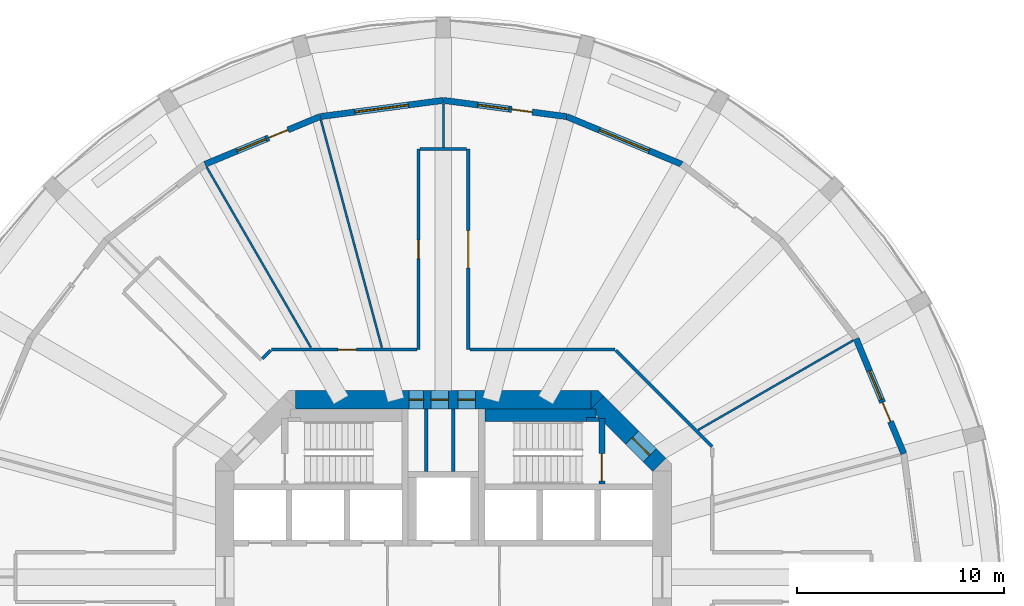
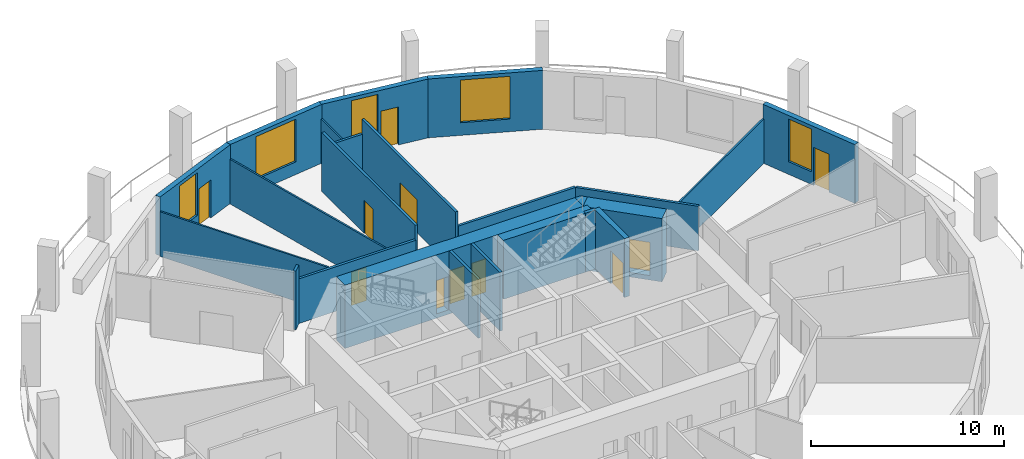
# One storey, part 6 of 9: 24 walls, 11 doors, 5 windows, 16 openings.
"""IFC4 building model written with IfcOpenShell, lengths in metres."""

from ifc_helpers import new_model, si_unit, direction, frame, frame_2d, origin, place, context, subcontext, project, spatial, polyline, rectangle, outline, extrude, material, layer, layer_set, type_object, element, fill, save


model = new_model("IFC4")

# Units and contexts
model_context = context("Model", 3, precision=1e-05, world=origin(), true_north=direction((0.0, 1.0)))
body_context = subcontext(model_context, "Body", "Model", "MODEL_VIEW")
ifc_project = project(units=[si_unit("LENGTHUNIT", "METRE"), si_unit("AREAUNIT", "SQUARE_METRE"), si_unit("VOLUMEUNIT", "CUBIC_METRE"), si_unit("PLANEANGLEUNIT", "RADIAN"), si_unit("MASSUNIT", "GRAM", prefix="KILO")], contexts=[model_context])

# Site, building, storey
site_placement = place(None, origin())
site = spatial("IfcSite", under=ifc_project, at=site_placement, CompositionType="ELEMENT")
building_placement = place(site_placement, origin())
building = spatial("IfcBuilding", under=site, at=building_placement, Name="Torre Triforio", CompositionType="ELEMENT")
storey_placement = place(building_placement, frame((0.0, 0.0, 75.0)))
storey = spatial("IfcBuildingStorey", under=building, at=storey_placement, Name="L16", CompositionType="ELEMENT", Elevation=75.0)

# Wall, openings, doors
ifc_material_1 = material(Name="Concrete C60", Category="concrete")
ifc_layer_1 = layer(ifc_material_1, 0.89990234375)
ifc_layer_set_1 = layer_set([ifc_layer_1], Name="Concrete C60")
wall_type_1 = type_object("IfcWallType", Name="Core wall 900 mm C60 EI 120", PredefinedType="SHEAR", material=ifc_layer_set_1)
wall_1_placement = place(storey_placement, frame((-7.1298828125, 8.550048828125, -0.280029296875), z_axis=(0.0, 0.0, 1.0), x_axis=(1.0, 0.0, 0.0)))
wall_1 = element("IfcWall", 1, at=wall_1_placement, inside=storey, type_object=wall_type_1, Name="Core wall", PredefinedType="SHEAR", context=body_context, shape_type="SweptSolid", body=[
    extrude(rectangle(XDim=14.259765625, YDim=0.89990234375, at=frame_2d((7.1298828125, 0.0))), origin(), (0.0, 0.0, 1.0), 4.0),
])
opening_1_placement = place(wall_1_placement, frame((5.47998046875, 0.0, 0.280029296875)))
opening_1 = element("IfcOpeningElement", 2, at=opening_1_placement, cuts=wall_1, Name="Opening RISER-N", PredefinedType="OPENING", context=body_context, shape_type="SweptSolid", body=[
    extrude(rectangle(XDim=0.699951171875, YDim=2.10009765625, at=frame_2d((0.35009765625, 1.050048828125))), frame((0.0, 0.4599609375, 0.0), z_axis=(0.0, -1.0, 0.0), x_axis=(1.0, 0.0, 0.0)), (0.0, 0.0, 1.0), 0.919921875),
])
opening_2_placement = place(wall_1_placement, frame((6.530029296875, 0.0, 0.280029296875)))
opening_2 = element("IfcOpeningElement", 3, at=opening_2_placement, cuts=wall_1, Name="Opening NE-01A", PredefinedType="OPENING", context=body_context, shape_type="SweptSolid", body=[
    extrude(rectangle(XDim=0.85009765625, YDim=2.10009765625, at=frame_2d((0.425048828125, 1.050048828125))), frame((0.0, 0.4599609375, 0.0), z_axis=(0.0, -1.0, 0.0), x_axis=(1.0, 0.0, 0.0)), (0.0, 0.0, 1.0), 0.919921875),
])
opening_3_placement = place(wall_1_placement, frame((7.830078125, 0.0, 0.280029296875)))
opening_3 = element("IfcOpeningElement", 4, at=opening_3_placement, cuts=wall_1, Name="Opening NE-02", PredefinedType="OPENING", context=body_context, shape_type="SweptSolid", body=[
    extrude(rectangle(XDim=0.85009765625, YDim=2.10009765625, at=frame_2d((0.425048828125, 1.050048828125))), frame((0.0, 0.4599609375, 0.0), z_axis=(0.0, -1.0, 0.0), x_axis=(1.0, 0.0, 0.0)), (0.0, 0.0, 1.0), 0.919921875),
])
ifc_material_2 = material(Name="Hollow metal fire door leaf")
door_type_1 = type_object("IfcDoorType", Name="Plant room door 850 x 2100 EI 60", OperationType="NOTDEFINED", PredefinedType="DOOR", material=ifc_material_2)
door_1_placement = place(opening_3_placement, origin())
door_1 = element("IfcDoor", 5, at=door_1_placement, inside=storey, type_object=door_type_1, Name="Core door NE-02", OperationType="SINGLE_SWING_RIGHT", OverallHeight=2.10009765625, OverallWidth=0.85009765625, PredefinedType="DOOR", context=body_context, shape_type="SweptSolid", body=[
    extrude(rectangle(XDim=0.85009765625, YDim=2.10009765625, at=frame_2d((0.425048828125, 1.050048828125))), frame((0.0, 0.02490234375, 0.0), z_axis=(0.0, -1.0, 0.0), x_axis=(1.0, 0.0, 0.0)), (0.0, 0.0, 1.0), 0.050048828125),
])
fill(opening_3, door_1)
door_type_2 = type_object("IfcDoorType", Name="Riser door 700 x 2100 EI 60", OperationType="NOTDEFINED", PredefinedType="DOOR", material=ifc_material_2)
door_2_placement = place(opening_1_placement, origin())
door_2 = element("IfcDoor", 6, at=door_2_placement, inside=storey, type_object=door_type_2, Name="Core door RISER-N", OperationType="SINGLE_SWING_LEFT", OverallHeight=2.10009765625, OverallWidth=0.699951171875, PredefinedType="DOOR", context=body_context, shape_type="SweptSolid", body=[
    extrude(rectangle(XDim=0.699951171875, YDim=2.10009765625, at=frame_2d((0.35009765625, 1.050048828125))), frame((0.0, 0.02490234375, 0.0), z_axis=(0.0, -1.0, 0.0), x_axis=(1.0, 0.0, 0.0)), (0.0, 0.0, 1.0), 0.050048828125),
])
fill(opening_1, door_2)
door_type_3 = type_object("IfcDoorType", Name="Room door 850 x 2100 EI 60", OperationType="NOTDEFINED", PredefinedType="DOOR", material=ifc_material_2)
door_3_placement = place(opening_2_placement, origin())
door_3 = element("IfcDoor", 7, at=door_3_placement, inside=storey, type_object=door_type_3, Name="Core door NE-01", OperationType="SINGLE_SWING_LEFT", OverallHeight=2.10009765625, OverallWidth=0.85009765625, PredefinedType="DOOR", context=body_context, shape_type="SweptSolid", body=[
    extrude(rectangle(XDim=0.85009765625, YDim=2.10009765625, at=frame_2d((0.425048828125, 1.050048828125))), frame((0.0, 0.02490234375, 0.0), z_axis=(0.0, -1.0, 0.0), x_axis=(1.0, 0.0, 0.0)), (0.0, 0.0, 1.0), 0.050048828125),
])
fill(opening_2, door_3)

# Wall, opening, door
wall_2_placement = place(storey_placement, frame((7.418212890625, 8.418212890625, -0.280029296875), z_axis=(0.0, 0.0, 1.0), x_axis=(0.707106781187, -0.707106781187, 0.0)))
wall_2 = element("IfcWall", 8, at=wall_2_placement, inside=storey, type_object=wall_type_1, Name="Core wall", PredefinedType="SHEAR", context=body_context, shape_type="SweptSolid", body=[
    extrude(rectangle(XDim=4.24267578125, YDim=0.89990234375, at=frame_2d((2.121337890625, 0.0))), origin(), (0.0, 0.0, 1.0), 4.0),
])
opening_4_placement = place(wall_2_placement, frame((2.392578125, 0.0, 0.280029296875)))
opening_4 = element("IfcOpeningElement", 9, at=opening_4_placement, cuts=wall_2, Name="Opening ST2-EXIT", PredefinedType="OPENING", context=body_context, shape_type="SweptSolid", body=[
    extrude(rectangle(XDim=1.199951171875, YDim=2.10009765625, at=frame_2d((0.60009765625, 1.050048828125))), frame((0.0, 0.4599609375, 0.0), z_axis=(0.0, -1.0, 0.0), x_axis=(1.0, 0.0, 0.0)), (0.0, 0.0, 1.0), 0.919921875),
])
door_type_4 = type_object("IfcDoorType", Name="Stair lobby door 1200 x 2100 EI 60", OperationType="NOTDEFINED", PredefinedType="DOOR", material=ifc_material_2)
door_4_placement = place(opening_4_placement, origin())
door_4 = element("IfcDoor", 10, at=door_4_placement, inside=storey, type_object=door_type_4, Name="Core door ST2-EXIT", OperationType="SINGLE_SWING_RIGHT", OverallHeight=2.10009765625, OverallWidth=1.199951171875, PredefinedType="DOOR", context=body_context, shape_type="SweptSolid", body=[
    extrude(rectangle(XDim=1.199951171875, YDim=2.10009765625, at=frame_2d((0.60009765625, 1.050048828125))), frame((0.0, 0.02490234375, 0.0), z_axis=(0.0, -1.0, 0.0), x_axis=(1.0, 0.0, 0.0)), (0.0, 0.0, 1.0), 0.050048828125),
])
fill(opening_4, door_4)

# Walls
wall_3_placement = place(storey_placement, frame((0.0, 0.0, -0.280029296875)))
element("IfcWall", 11, at=wall_3_placement, inside=storey, type_object=wall_type_1, Name="Core wall", PredefinedType="SHEAR", context=body_context, shape_type="SweptSolid", body=[
    extrude(outline(polyline([(7.472900390625, 9.0), (7.736328125, 8.736328125), (7.1298828125, 8.1298828125), (7.1298828125, 9.0), (7.472900390625, 9.0)])), origin(), (0.0, 0.0, 1.0), 4.0),
])
ifc_material_3 = material(Name="Plasterboard on metal studs")
ifc_layer_2 = layer(ifc_material_3, 0.14990234375)
ifc_layer_set_2 = layer_set([ifc_layer_2], Name="Plasterboard on metal studs")
wall_type_2 = type_object("IfcWallType", Name="Corridor and tenancy wall 150 mm EI 60", PredefinedType="PARTITIONING", material=ifc_layer_set_2)
wall_4_placement = place(storey_placement, frame((-8.7314453125, 10.534423828125, 0.0), z_axis=(0.0, 0.0, 1.0), x_axis=(0.707106781187, 0.707106781187, 0.0)))
element("IfcWall", 12, at=wall_4_placement, inside=storey, type_object=wall_type_2, Name="Partition 11", PredefinedType="PARTITIONING", context=body_context, shape_type="SweptSolid", body=[
    extrude(rectangle(XDim=0.57080078125, YDim=0.14990234375, at=frame_2d((0.285400390625, 0.0))), origin(), (0.0, 0.0, 1.0), 3.719970703125),
])

# Wall, opening, door
wall_5_placement = place(storey_placement, frame((-8.291015625, 10.97509765625, 0.0), z_axis=(0.0, 0.0, 1.0), x_axis=(1.0, 0.0, 0.0)))
wall_5 = element("IfcWall", 13, at=wall_5_placement, inside=storey, type_object=wall_type_2, Name="Partition 12", PredefinedType="PARTITIONING", context=body_context, shape_type="SweptSolid", body=[
    extrude(rectangle(XDim=7.01611328125, YDim=0.14990234375, at=frame_2d((3.508056640625, 0.0))), origin(), (0.0, 0.0, 1.0), 2.820068359375),
])
opening_5_placement = place(wall_5_placement, frame((3.198486328125, 0.0, 0.0)))
opening_5 = element("IfcOpeningElement", 14, at=opening_5_placement, cuts=wall_5, Name="Opening N5-03", PredefinedType="OPENING", context=body_context, shape_type="SweptSolid", body=[
    extrude(rectangle(XDim=0.89990234375, YDim=2.10009765625, at=frame_2d((0.449951171875, 1.050048828125))), frame((0.0, 0.0849609375, 0.0), z_axis=(0.0, -1.0, 0.0), x_axis=(1.0, 0.0, 0.0)), (0.0, 0.0, 1.0), 0.169921875),
])
ifc_material_4 = material(Name="Timber", Category="wood")
door_type_5 = type_object("IfcDoorType", Name="Door 900 x 2100 single leaf EI 30", OperationType="NOTDEFINED", PredefinedType="DOOR", material=ifc_material_4)
door_5_placement = place(opening_5_placement, origin())
door_5 = element("IfcDoor", 15, at=door_5_placement, inside=storey, type_object=door_type_5, Name="Door N5-03", OperationType="SINGLE_SWING_LEFT", OverallHeight=2.10009765625, OverallWidth=0.89990234375, PredefinedType="DOOR", context=body_context, shape_type="SweptSolid", body=[
    extrude(rectangle(XDim=0.89990234375, YDim=2.10009765625, at=frame_2d((0.449951171875, 1.050048828125))), frame((0.0, 0.02490234375, 0.0), z_axis=(0.0, -1.0, 0.0), x_axis=(1.0, 0.0, 0.0)), (0.0, 0.0, 1.0), 0.050048828125),
])
fill(opening_5, door_5)

wall_6_placement = place(storey_placement, frame((-1.199951171875, 10.97509765625, 0.0), z_axis=(0.0, 0.0, 1.0), x_axis=(0.0, 1.0, 0.0)))
wall_6 = element("IfcWall", 16, at=wall_6_placement, inside=storey, type_object=wall_type_2, Name="Partition 13", PredefinedType="PARTITIONING", context=body_context, shape_type="SweptSolid", body=[
    extrude(rectangle(XDim=9.673583984375, YDim=0.14990234375, at=frame_2d((4.8369140625, 0.0))), origin(), (0.0, 0.0, 1.0), 3.719970703125),
])
opening_6_placement = place(wall_6_placement, frame((4.386962890625, 0.0, 0.0)))
opening_6 = element("IfcOpeningElement", 17, at=opening_6_placement, cuts=wall_6, Name="Opening N5-02", PredefinedType="OPENING", context=body_context, shape_type="SweptSolid", body=[
    extrude(rectangle(XDim=0.89990234375, YDim=2.10009765625, at=frame_2d((0.449951171875, 1.050048828125))), frame((0.0, 0.0849609375, 0.0), z_axis=(0.0, -1.0, 0.0), x_axis=(1.0, 0.0, 0.0)), (0.0, 0.0, 1.0), 0.169921875),
])
door_6_placement = place(opening_6_placement, origin())
door_6 = element("IfcDoor", 18, at=door_6_placement, inside=storey, type_object=door_type_5, Name="Door N5-02", OperationType="SINGLE_SWING_RIGHT", OverallHeight=2.10009765625, OverallWidth=0.89990234375, PredefinedType="DOOR", context=body_context, shape_type="SweptSolid", body=[
    extrude(rectangle(XDim=0.89990234375, YDim=2.10009765625, at=frame_2d((0.449951171875, 1.050048828125))), frame((0.0, 0.02490234375, 0.0), z_axis=(0.0, -1.0, 0.0), x_axis=(1.0, 0.0, 0.0)), (0.0, 0.0, 1.0), 0.050048828125),
])
fill(opening_6, door_6)

# Wall
wall_7_placement = place(storey_placement, frame((-1.125, 20.648681640625, 0.0), z_axis=(0.0, 0.0, 1.0), x_axis=(1.0, 0.0, 0.0)))
element("IfcWall", 19, at=wall_7_placement, inside=storey, type_object=wall_type_2, Name="Partition 14", PredefinedType="PARTITIONING", context=body_context, shape_type="SweptSolid", body=[
    extrude(rectangle(XDim=2.25, YDim=0.14990234375, at=frame_2d((1.125, 0.0))), origin(), (0.0, 0.0, 1.0), 2.820068359375),
])

# Wall, opening, door
wall_8_placement = place(storey_placement, frame((1.199951171875, 20.648681640625, 0.0), z_axis=(0.0, 0.0, 1.0), x_axis=(0.0, -1.0, 0.0)))
wall_8 = element("IfcWall", 20, at=wall_8_placement, inside=storey, type_object=wall_type_2, Name="Partition 15", PredefinedType="PARTITIONING", context=body_context, shape_type="SweptSolid", body=[
    extrude(rectangle(XDim=9.673583984375, YDim=0.14990234375, at=frame_2d((4.8369140625, 0.0))), origin(), (0.0, 0.0, 1.0), 3.719970703125),
])
opening_7_placement = place(wall_8_placement, frame((3.93701171875, 0.0, 0.0)))
opening_7 = element("IfcOpeningElement", 21, at=opening_7_placement, cuts=wall_8, Name="Opening N5-01", PredefinedType="OPENING", context=body_context, shape_type="SweptSolid", body=[
    extrude(rectangle(XDim=1.800048828125, YDim=2.10009765625, at=frame_2d((0.89990234375, 1.050048828125))), frame((0.0, 0.0849609375, 0.0), z_axis=(0.0, -1.0, 0.0), x_axis=(1.0, 0.0, 0.0)), (0.0, 0.0, 1.0), 0.169921875),
])
door_type_6 = type_object("IfcDoorType", Name="Door 1800 x 2100 double leaf EI 30", OperationType="DOUBLE_DOOR_SINGLE_SWING", PredefinedType="DOOR", material=ifc_material_4)
door_7_placement = place(opening_7_placement, origin())
door_7 = element("IfcDoor", 22, at=door_7_placement, inside=storey, type_object=door_type_6, Name="Door N5-01", OperationType="DOUBLE_DOOR_SINGLE_SWING", OverallHeight=2.10009765625, OverallWidth=1.800048828125, PredefinedType="DOOR", context=body_context, shape_type="SweptSolid", body=[
    extrude(rectangle(XDim=1.800048828125, YDim=2.10009765625, at=frame_2d((0.89990234375, 1.050048828125))), frame((0.0, 0.02490234375, 0.0), z_axis=(0.0, -1.0, 0.0), x_axis=(1.0, 0.0, 0.0)), (0.0, 0.0, 1.0), 0.050048828125),
])
fill(opening_7, door_7)

# Walls
wall_9_placement = place(storey_placement, frame((1.27490234375, 10.97509765625, 0.0), z_axis=(0.0, 0.0, 1.0), x_axis=(1.0, 0.0, 0.0)))
element("IfcWall", 23, at=wall_9_placement, inside=storey, type_object=wall_type_2, Name="Partition 16", PredefinedType="PARTITIONING", context=body_context, shape_type="SweptSolid", body=[
    extrude(rectangle(XDim=7.01611328125, YDim=0.14990234375, at=frame_2d((3.508056640625, 0.0))), origin(), (0.0, 0.0, 1.0), 2.820068359375),
])
wall_10_placement = place(storey_placement, frame((8.327880859375, 10.93798828125, 0.0), z_axis=(0.0, 0.0, 1.0), x_axis=(0.707125355289, -0.707088206597, 0.0)))
element("IfcWall", 24, at=wall_10_placement, inside=storey, type_object=wall_type_2, Name="Partition 17", PredefinedType="PARTITIONING", context=body_context, shape_type="SweptSolid", body=[
    extrude(rectangle(XDim=6.572021484375, YDim=0.14990234375, at=frame_2d((3.2861328125, 0.0))), origin(), (0.0, 0.0, 1.0), 2.820068359375),
])
ifc_layer_3 = layer(ifc_material_3, 0.10009765625)
ifc_layer_set_3 = layer_set([ifc_layer_3], Name="Plasterboard on metal studs")
wall_type_3 = type_object("IfcWallType", Name="Partition 100 mm board on metal studs", PredefinedType="PARTITIONING", material=ifc_layer_set_3)
wall_11_placement = place(storey_placement, frame((12.294189453125, 7.097900390625, 0.0), z_axis=(0.0, 0.0, 1.0), x_axis=(0.866010547425, 0.500025731086, 0.0)))
element("IfcWall", 25, at=wall_11_placement, inside=storey, type_object=wall_type_3, Name="Partition 33", PredefinedType="PARTITIONING", context=body_context, shape_type="SweptSolid", body=[
    extrude(rectangle(XDim=8.640625, YDim=0.10009765625, at=frame_2d((4.3203125, 0.0))), origin(), (0.0, 0.0, 1.0), 2.820068359375),
])
wall_12_placement = place(storey_placement, frame((0.0, 20.7236328125, 0.0), z_axis=(0.0, 0.0, 1.0), x_axis=(0.0, 1.0, 0.0)))
element("IfcWall", 26, at=wall_12_placement, inside=storey, type_object=wall_type_3, Name="Partition 34", PredefinedType="PARTITIONING", context=body_context, shape_type="SweptSolid", body=[
    extrude(rectangle(XDim=2.113037109375, YDim=0.10009765625, at=frame_2d((1.056640625, 0.0))), origin(), (0.0, 0.0, 1.0), 2.820068359375),
])
wall_13_placement = place(storey_placement, frame((-2.964599609375, 11.064208984375, 0.0), z_axis=(0.0, 0.0, 1.0), x_axis=(-0.258827930947, 0.965923445291, 0.0)))
element("IfcWall", 27, at=wall_13_placement, inside=storey, type_object=wall_type_3, Name="Partition 35", PredefinedType="PARTITIONING", context=body_context, shape_type="SweptSolid", body=[
    extrude(rectangle(XDim=11.38232421875, YDim=0.10009765625, at=frame_2d((5.691162109375, 0.0))), origin(), (0.0, 0.0, 1.0), 2.820068359375),
])
wall_14_placement = place(storey_placement, frame((-6.393798828125, 11.07470703125, 0.0), z_axis=(0.0, 0.0, 1.0), x_axis=(-0.500024592647, 0.866011204747, 0.0)))
element("IfcWall", 28, at=wall_14_placement, inside=storey, type_object=wall_type_3, Name="Partition 36", PredefinedType="PARTITIONING", context=body_context, shape_type="SweptSolid", body=[
    extrude(rectangle(XDim=10.048828125, YDim=0.10009765625, at=frame_2d((5.0244140625, 0.0))), origin(), (0.0, 0.0, 1.0), 2.820068359375),
])
ifc_material_5 = material(Name="Block and board partition")
ifc_layer_4 = layer(ifc_material_5, 0.14990234375)
ifc_layer_set_4 = layer_set([ifc_layer_4], Name="Block and board partition")
wall_type_4 = type_object("IfcWallType", Name="Partition 150 mm", PredefinedType="PARTITIONING", material=ifc_layer_set_4)
wall_15_placement = place(storey_placement, frame((0.47509765625, 5.10009765625, 0.0), z_axis=(0.0, 0.0, 1.0), x_axis=(0.0, 1.0, 0.0)))
element("IfcWall", 29, at=wall_15_placement, inside=storey, type_object=wall_type_4, Name="Partition", PredefinedType="PARTITIONING", context=body_context, shape_type="SweptSolid", body=[
    extrude(rectangle(XDim=3.0, YDim=0.14990234375, at=frame_2d((1.5, 0.0))), origin(), (0.0, 0.0, 1.0), 3.719970703125),
])
ifc_layer_5 = layer(ifc_material_5, 0.14990234375)
ifc_layer_set_5 = layer_set([ifc_layer_5], Name="Block and board partition")
wall_type_5 = type_object("IfcWallType", Name="Partition 150 mm EI 120", PredefinedType="PARTITIONING", material=ifc_layer_set_5)
wall_16_placement = place(storey_placement, frame((-0.824951171875, 5.10009765625, 0.0), z_axis=(0.0, 0.0, 1.0), x_axis=(0.0, 1.0, 0.0)))
element("IfcWall", 30, at=wall_16_placement, inside=storey, type_object=wall_type_5, Name="Partition", PredefinedType="PARTITIONING", context=body_context, shape_type="SweptSolid", body=[
    extrude(rectangle(XDim=3.0, YDim=0.14990234375, at=frame_2d((1.5, 0.0))), origin(), (0.0, 0.0, 1.0), 3.719970703125),
])
ifc_layer_6 = layer(ifc_material_1, 0.199951171875)
ifc_layer_set_6 = layer_set([ifc_layer_6], Name="Concrete C60")
wall_type_6 = type_object("IfcWallType", Name="Stair wall 200 mm C60 EI 120", PredefinedType="SHEAR", material=ifc_layer_set_6)
wall_17_placement = place(storey_placement, frame((6.89990234375, 7.60009765625, 0.0), z_axis=(0.0, 0.0, 1.0), x_axis=(1.0, 0.0, 0.0)))
element("IfcWall", 31, at=wall_17_placement, inside=storey, type_object=wall_type_6, Name="Stair wall", PredefinedType="SHEAR", context=body_context, shape_type="SweptSolid", body=[
    extrude(rectangle(XDim=0.60009765625, YDim=0.199951171875, at=frame_2d((0.300048828125, 0.0))), origin(), (0.0, 0.0, 1.0), 3.719970703125),
])

# Wall, opening, door
ifc_layer_7 = layer(ifc_material_1, 0.300048828125)
ifc_layer_set_7 = layer_set([ifc_layer_7], Name="Concrete C60")
wall_type_7 = type_object("IfcWallType", Name="Stair wall 300 mm C60 EI 120", PredefinedType="SHEAR", material=ifc_layer_set_7)
wall_18_placement = place(storey_placement, frame((7.64990234375, 4.5, 0.0), z_axis=(0.0, 0.0, 1.0), x_axis=(0.0, 1.0, 0.0)))
wall_18 = element("IfcWall", 32, at=wall_18_placement, inside=storey, type_object=wall_type_7, Name="Stair wall", PredefinedType="SHEAR", context=body_context, shape_type="SweptSolid", body=[
    extrude(rectangle(XDim=3.139892578125, YDim=0.300048828125, at=frame_2d((1.56982421875, 0.0))), origin(), (0.0, 0.0, 1.0), 3.719970703125),
])
opening_8_placement = place(wall_18_placement, frame((0.139892578125, 0.0, 0.0)))
opening_8 = element("IfcOpeningElement", 33, at=opening_8_placement, cuts=wall_18, Name="Opening ST2-STA", PredefinedType="OPENING", context=body_context, shape_type="SweptSolid", body=[
    extrude(rectangle(XDim=1.320068359375, YDim=2.10009765625, at=frame_2d((0.66015625, 1.050048828125))), frame((0.0, 0.159912109375, 0.0), z_axis=(0.0, -1.0, 0.0), x_axis=(1.0, 0.0, 0.0)), (0.0, 0.0, 1.0), 0.320068359375),
])
door_type_7 = type_object("IfcDoorType", Name="Stair door 1320 x 2100 EI 90", OperationType="DOUBLE_DOOR_SINGLE_SWING", PredefinedType="DOOR", material=ifc_material_2)
door_8_placement = place(opening_8_placement, origin())
door_8 = element("IfcDoor", 34, at=door_8_placement, inside=storey, type_object=door_type_7, Name="Core door ST2-ST", OperationType="DOUBLE_DOOR_SINGLE_SWING", OverallHeight=2.10009765625, OverallWidth=1.320068359375, PredefinedType="DOOR", context=body_context, shape_type="SweptSolid", body=[
    extrude(rectangle(XDim=1.320068359375, YDim=2.10009765625, at=frame_2d((0.66015625, 1.050048828125))), frame((0.0, 0.02490234375, 0.0), z_axis=(0.0, -1.0, 0.0), x_axis=(1.0, 0.0, 0.0)), (0.0, 0.0, 1.0), 0.050048828125),
])
fill(opening_8, door_8)

# Wall
ifc_layer_8 = layer(ifc_material_1, 0.60009765625)
ifc_layer_set_8 = layer_set([ifc_layer_8], Name="Concrete C60")
wall_type_8 = type_object("IfcWallType", Name="Stair wall 600 mm C60 EI 120", PredefinedType="SHEAR", material=ifc_layer_set_8)
wall_19_placement = place(storey_placement, frame((2.0, 7.800048828125, 0.0), z_axis=(0.0, 0.0, 1.0), x_axis=(1.0, 0.0, 0.0)))
element("IfcWall", 35, at=wall_19_placement, inside=storey, type_object=wall_type_8, Name="Stair wall", PredefinedType="SHEAR", context=body_context, shape_type="SweptSolid", body=[
    extrude(rectangle(XDim=5.3701171875, YDim=0.60009765625, at=frame_2d((2.68505859375, 0.0))), origin(), (0.0, 0.0, 1.0), 3.719970703125),
])

# Wall, openings, door, window
ifc_material_6 = material(Name="Limestone cladding", Category="masonry")
ifc_layer_9 = layer(ifc_material_6, 0.10009765625)
ifc_material_7 = material(Name="Concrete C40", Category="concrete")
ifc_layer_10 = layer(ifc_material_7, 0.199951171875)
ifc_layer_set_9 = layer_set([ifc_layer_9, ifc_layer_10], Name="Limestone cladding / Concrete C40")
wall_type_9 = type_object("IfcWallType", Name="Stone-faced composite wall 300", PredefinedType="STANDARD", material=ifc_layer_set_9)
wall_20_placement = place(storey_placement, frame((22.21630859375, 5.952880859375, 0.0), z_axis=(0.0, 0.0, 1.0), x_axis=(-0.382671411433, 0.923884511653, 0.0)))
wall_20 = element("IfcWall", 36, at=wall_20_placement, inside=storey, type_object=wall_type_9, Name="External wall L16 bay 02", PredefinedType="STANDARD", context=body_context, shape_type="SweptSolid", body=[
    extrude(rectangle(XDim=6.004150390625, YDim=0.300048828125, at=frame_2d((3.001953125, 0.0))), origin(), (0.0, 0.0, 1.0), 3.719970703125),
])
opening_9_placement = place(wall_20_placement, frame((1.677001953125, 0.0, 0.0)))
opening_9 = element("IfcOpeningElement", 37, at=opening_9_placement, cuts=wall_20, Name="Opening N5-D02", PredefinedType="OPENING", context=body_context, shape_type="SweptSolid", body=[
    extrude(rectangle(XDim=1.0, YDim=2.39990234375, at=frame_2d((0.5, 1.199951171875))), frame((0.0, 0.159912109375, 0.0), z_axis=(0.0, -1.0, 0.0), x_axis=(1.0, 0.0, 0.0)), (0.0, 0.0, 1.0), 0.320068359375),
])
opening_10_placement = place(wall_20_placement, frame((2.8271484375, 0.0, 0.800048828125)))
opening_10 = element("IfcOpeningElement", 38, at=opening_10_placement, cuts=wall_20, Name="Opening N5-W02A", PredefinedType="OPENING", context=body_context, shape_type="SweptSolid", body=[
    extrude(rectangle(XDim=1.5, YDim=2.699951171875, at=frame_2d((0.75, 1.35009765625))), frame((0.0, 0.159912109375, 0.0), z_axis=(0.0, -1.0, 0.0), x_axis=(1.0, 0.0, 0.0)), (0.0, 0.0, 1.0), 0.320068359375),
])
ifc_material_8 = material(Name="Aluminium frame with clear double glazing", Category="aluminium")
door_type_8 = type_object("IfcDoorType", Name="Loggia door 1000 x 2400", OperationType="NOTDEFINED", PredefinedType="DOOR", material=ifc_material_8)
door_9_placement = place(opening_9_placement, origin())
door_9 = element("IfcDoor", 39, at=door_9_placement, inside=storey, type_object=door_type_8, Name="Loggia door L16 bay 02", OperationType="SINGLE_SWING_LEFT", OverallHeight=2.39990234375, OverallWidth=1.0, PredefinedType="DOOR", context=body_context, shape_type="SweptSolid", body=[
    extrude(rectangle(XDim=1.0, YDim=2.39990234375, at=frame_2d((0.5, 1.199951171875))), frame((0.0, 0.02490234375, 0.0), z_axis=(0.0, -1.0, 0.0), x_axis=(1.0, 0.0, 0.0)), (0.0, 0.0, 1.0), 0.050048828125),
])
fill(opening_9, door_9)
window_type_1 = type_object("IfcWindowType", Name="Side window 1500 x 2700", PartitioningType="SINGLE_PANEL", PredefinedType="WINDOW", material=ifc_material_8)
window_1_placement = place(opening_10_placement, origin())
window_1 = element("IfcWindow", 40, at=window_1_placement, inside=storey, type_object=window_type_1, Name="Side window EWN12 L16 bay 02", OverallHeight=2.699951171875, OverallWidth=1.5, PartitioningType="SINGLE_PANEL", PredefinedType="WINDOW", context=body_context, shape_type="SweptSolid", body=[
    extrude(rectangle(XDim=1.5, YDim=2.699951171875, at=frame_2d((0.75, 1.35009765625))), frame((0.0, 0.030029296875, 0.0), z_axis=(0.0, -1.0, 0.0), x_axis=(1.0, 0.0, 0.0)), (0.0, 0.0, 1.0), 0.06005859375),
])
fill(opening_10, window_1)

# Wall, opening, window
wall_21_placement = place(storey_placement, frame((11.5, 19.918701171875, 0.0), z_axis=(0.0, 0.0, 1.0), x_axis=(-0.923884511653, 0.382671411433, 0.0)))
wall_21 = element("IfcWall", 41, at=wall_21_placement, inside=storey, type_object=wall_type_9, Name="External wall L16 bay 05", PredefinedType="STANDARD", context=body_context, shape_type="SweptSolid", body=[
    extrude(rectangle(XDim=6.004150390625, YDim=0.300048828125, at=frame_2d((3.001953125, 0.0))), origin(), (0.0, 0.0, 1.0), 3.719970703125),
])
opening_11_placement = place(wall_21_placement, frame((1.7021484375, 0.0, 0.800048828125)))
opening_11 = element("IfcOpeningElement", 42, at=opening_11_placement, cuts=wall_21, Name="Opening N5-W05", PredefinedType="OPENING", context=body_context, shape_type="SweptSolid", body=[
    extrude(rectangle(XDim=2.60009765625, YDim=2.699951171875, at=frame_2d((1.300048828125, 1.35009765625))), frame((0.0, 0.159912109375, 0.0), z_axis=(0.0, -1.0, 0.0), x_axis=(1.0, 0.0, 0.0)), (0.0, 0.0, 1.0), 0.320068359375),
])
window_type_2 = type_object("IfcWindowType", Name="Punched window 2600 x 2700", PartitioningType="DOUBLE_PANEL_VERTICAL", PredefinedType="WINDOW", material=ifc_material_8)
window_2_placement = place(opening_11_placement, origin())
window_2 = element("IfcWindow", 43, at=window_2_placement, inside=storey, type_object=window_type_2, Name="Window EWN2 L16 bay 05", OverallHeight=2.699951171875, OverallWidth=2.60009765625, PartitioningType="SINGLE_PANEL", PredefinedType="WINDOW", context=body_context, shape_type="SweptSolid", body=[
    extrude(rectangle(XDim=2.60009765625, YDim=2.699951171875, at=frame_2d((1.300048828125, 1.35009765625))), frame((0.0, 0.030029296875, 0.0), z_axis=(0.0, -1.0, 0.0), x_axis=(1.0, 0.0, 0.0)), (0.0, 0.0, 1.0), 0.06005859375),
])
fill(opening_11, window_2)

# Wall, openings, door, window
wall_22_placement = place(storey_placement, frame((5.952880859375, 22.21630859375, 0.0), z_axis=(0.0, 0.0, 1.0), x_axis=(-0.991445297315, 0.130522880875, 0.0)))
wall_22 = element("IfcWall", 44, at=wall_22_placement, inside=storey, type_object=wall_type_9, Name="External wall L16 bay 06", PredefinedType="STANDARD", context=body_context, shape_type="SweptSolid", body=[
    extrude(rectangle(XDim=6.004150390625, YDim=0.300048828125, at=frame_2d((3.001953125, 0.0))), origin(), (0.0, 0.0, 1.0), 3.719970703125),
])
opening_12_placement = place(wall_22_placement, frame((1.677001953125, 0.0, 0.0)))
opening_12 = element("IfcOpeningElement", 45, at=opening_12_placement, cuts=wall_22, Name="Opening N5-D06", PredefinedType="OPENING", context=body_context, shape_type="SweptSolid", body=[
    extrude(rectangle(XDim=1.0, YDim=2.39990234375, at=frame_2d((0.5, 1.199951171875))), frame((0.0, 0.159912109375, 0.0), z_axis=(0.0, -1.0, 0.0), x_axis=(1.0, 0.0, 0.0)), (0.0, 0.0, 1.0), 0.320068359375),
])
opening_13_placement = place(wall_22_placement, frame((2.8271484375, 0.0, 0.800048828125)))
opening_13 = element("IfcOpeningElement", 46, at=opening_13_placement, cuts=wall_22, Name="Opening N5-W06A", PredefinedType="OPENING", context=body_context, shape_type="SweptSolid", body=[
    extrude(rectangle(XDim=1.5, YDim=2.699951171875, at=frame_2d((0.75, 1.35009765625))), frame((0.0, 0.159912109375, 0.0), z_axis=(0.0, -1.0, 0.0), x_axis=(1.0, 0.0, 0.0)), (0.0, 0.0, 1.0), 0.320068359375),
])
door_10_placement = place(opening_12_placement, origin())
door_10 = element("IfcDoor", 47, at=door_10_placement, inside=storey, type_object=door_type_8, Name="Loggia door L16 bay 06", OperationType="SINGLE_SWING_LEFT", OverallHeight=2.39990234375, OverallWidth=1.0, PredefinedType="DOOR", context=body_context, shape_type="SweptSolid", body=[
    extrude(rectangle(XDim=1.0, YDim=2.39990234375, at=frame_2d((0.5, 1.199951171875))), frame((0.0, 0.02490234375, 0.0), z_axis=(0.0, -1.0, 0.0), x_axis=(1.0, 0.0, 0.0)), (0.0, 0.0, 1.0), 0.050048828125),
])
fill(opening_12, door_10)
window_3_placement = place(opening_13_placement, origin())
window_3 = element("IfcWindow", 48, at=window_3_placement, inside=storey, type_object=window_type_1, Name="Side window EWN12 L16 bay 06", OverallHeight=2.699951171875, OverallWidth=1.5, PartitioningType="SINGLE_PANEL", PredefinedType="WINDOW", context=body_context, shape_type="SweptSolid", body=[
    extrude(rectangle(XDim=1.5, YDim=2.699951171875, at=frame_2d((0.75, 1.35009765625))), frame((0.0, 0.030029296875, 0.0), z_axis=(0.0, -1.0, 0.0), x_axis=(1.0, 0.0, 0.0)), (0.0, 0.0, 1.0), 0.06005859375),
])
fill(opening_13, window_3)

# Wall, opening, window
wall_23_placement = place(storey_placement, frame((0.0, 23.0, 0.0), z_axis=(0.0, 0.0, 1.0), x_axis=(-0.991445297315, -0.130522880875, 0.0)))
wall_23 = element("IfcWall", 49, at=wall_23_placement, inside=storey, type_object=wall_type_9, Name="External wall L16 bay 07", PredefinedType="STANDARD", context=body_context, shape_type="SweptSolid", body=[
    extrude(rectangle(XDim=6.004150390625, YDim=0.300048828125, at=frame_2d((3.001953125, 0.0))), origin(), (0.0, 0.0, 1.0), 3.719970703125),
])
opening_14_placement = place(wall_23_placement, frame((1.7021484375, 0.0, 0.800048828125)))
opening_14 = element("IfcOpeningElement", 50, at=opening_14_placement, cuts=wall_23, Name="Opening N5-W07", PredefinedType="OPENING", context=body_context, shape_type="SweptSolid", body=[
    extrude(rectangle(XDim=2.60009765625, YDim=2.699951171875, at=frame_2d((1.300048828125, 1.35009765625))), frame((0.0, 0.159912109375, 0.0), z_axis=(0.0, -1.0, 0.0), x_axis=(1.0, 0.0, 0.0)), (0.0, 0.0, 1.0), 0.320068359375),
])
window_4_placement = place(opening_14_placement, origin())
window_4 = element("IfcWindow", 51, at=window_4_placement, inside=storey, type_object=window_type_2, Name="Window EWN2 L16 bay 07", OverallHeight=2.699951171875, OverallWidth=2.60009765625, PartitioningType="SINGLE_PANEL", PredefinedType="WINDOW", context=body_context, shape_type="SweptSolid", body=[
    extrude(rectangle(XDim=2.60009765625, YDim=2.699951171875, at=frame_2d((1.300048828125, 1.35009765625))), frame((0.0, 0.030029296875, 0.0), z_axis=(0.0, -1.0, 0.0), x_axis=(1.0, 0.0, 0.0)), (0.0, 0.0, 1.0), 0.06005859375),
])
fill(opening_14, window_4)

# Wall, openings, door, window
wall_24_placement = place(storey_placement, frame((-5.952880859375, 22.21630859375, 0.0), z_axis=(0.0, 0.0, 1.0), x_axis=(-0.923884511653, -0.382671411433, 0.0)))
wall_24 = element("IfcWall", 52, at=wall_24_placement, inside=storey, type_object=wall_type_9, Name="External wall L16 bay 08", PredefinedType="STANDARD", context=body_context, shape_type="SweptSolid", body=[
    extrude(rectangle(XDim=6.004150390625, YDim=0.300048828125, at=frame_2d((3.001953125, 0.0))), origin(), (0.0, 0.0, 1.0), 3.719970703125),
])
opening_15_placement = place(wall_24_placement, frame((1.677001953125, 0.0, 0.0)))
opening_15 = element("IfcOpeningElement", 53, at=opening_15_placement, cuts=wall_24, Name="Opening N5-D08", PredefinedType="OPENING", context=body_context, shape_type="SweptSolid", body=[
    extrude(rectangle(XDim=1.0, YDim=2.39990234375, at=frame_2d((0.5, 1.199951171875))), frame((0.0, 0.159912109375, 0.0), z_axis=(0.0, -1.0, 0.0), x_axis=(1.0, 0.0, 0.0)), (0.0, 0.0, 1.0), 0.320068359375),
])
opening_16_placement = place(wall_24_placement, frame((2.8271484375, 0.0, 0.800048828125)))
opening_16 = element("IfcOpeningElement", 54, at=opening_16_placement, cuts=wall_24, Name="Opening N5-W08A", PredefinedType="OPENING", context=body_context, shape_type="SweptSolid", body=[
    extrude(rectangle(XDim=1.5, YDim=2.699951171875, at=frame_2d((0.75, 1.35009765625))), frame((0.0, 0.159912109375, 0.0), z_axis=(0.0, -1.0, 0.0), x_axis=(1.0, 0.0, 0.0)), (0.0, 0.0, 1.0), 0.320068359375),
])
door_11_placement = place(opening_15_placement, origin())
door_11 = element("IfcDoor", 55, at=door_11_placement, inside=storey, type_object=door_type_8, Name="Loggia door L16 bay 08", OperationType="SINGLE_SWING_LEFT", OverallHeight=2.39990234375, OverallWidth=1.0, PredefinedType="DOOR", context=body_context, shape_type="SweptSolid", body=[
    extrude(rectangle(XDim=1.0, YDim=2.39990234375, at=frame_2d((0.5, 1.199951171875))), frame((0.0, 0.02490234375, 0.0), z_axis=(0.0, -1.0, 0.0), x_axis=(1.0, 0.0, 0.0)), (0.0, 0.0, 1.0), 0.050048828125),
])
fill(opening_15, door_11)
window_5_placement = place(opening_16_placement, origin())
window_5 = element("IfcWindow", 56, at=window_5_placement, inside=storey, type_object=window_type_1, Name="Side window EWN12 L16 bay 08", OverallHeight=2.699951171875, OverallWidth=1.5, PartitioningType="SINGLE_PANEL", PredefinedType="WINDOW", context=body_context, shape_type="SweptSolid", body=[
    extrude(rectangle(XDim=1.5, YDim=2.699951171875, at=frame_2d((0.75, 1.35009765625))), frame((0.0, 0.030029296875, 0.0), z_axis=(0.0, -1.0, 0.0), x_axis=(1.0, 0.0, 0.0)), (0.0, 0.0, 1.0), 0.06005859375),
])
fill(opening_16, window_5)

save(model, "model.ifc")
